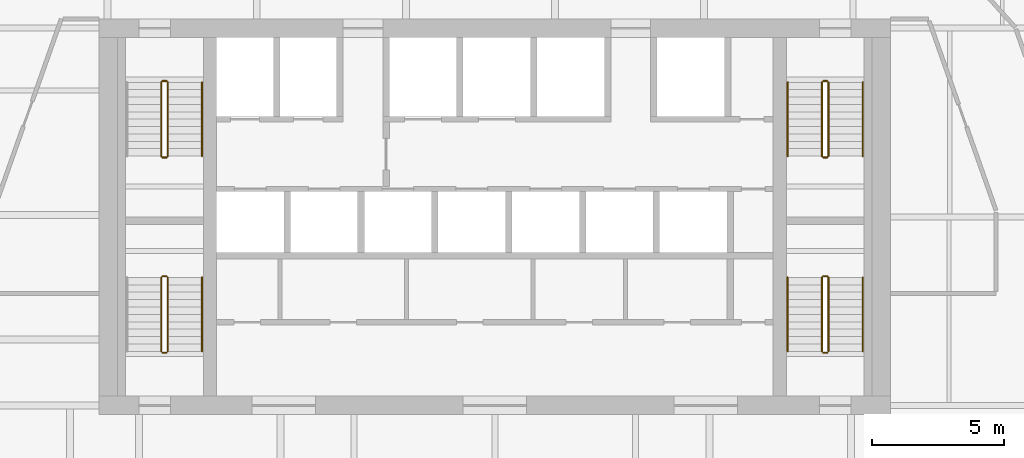
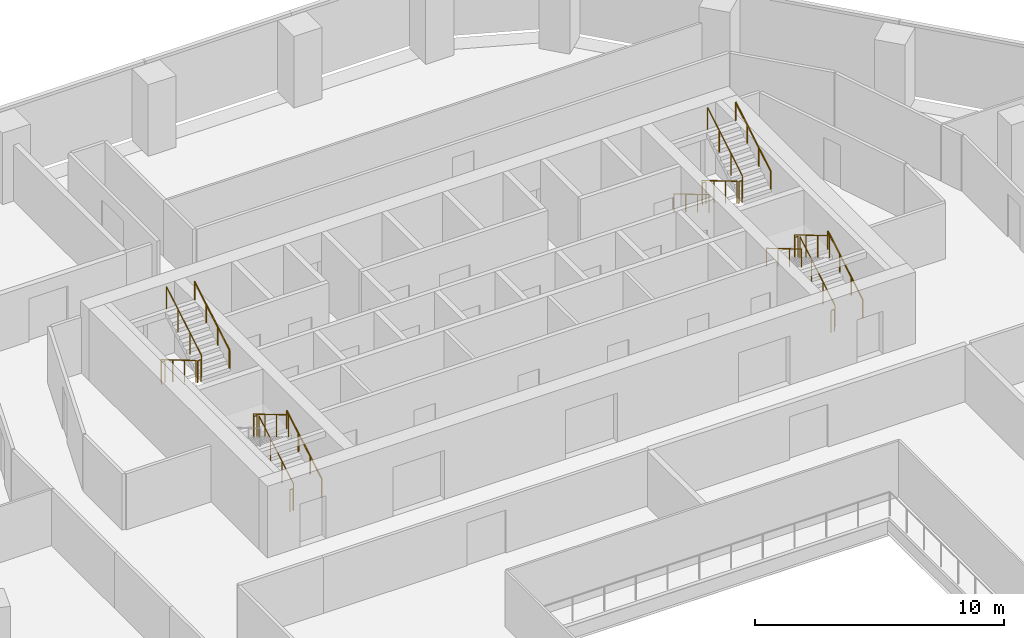
# One storey, part 16 of 17: 22 railings.
"""IFC4 building model written with IfcOpenShell, lengths in metres."""

from ifc_helpers import new_model, si_unit, direction, frame, origin, origin_2d, place, context, subcontext, project, spatial, circle, extrude, material, type_object, element, save


model = new_model("IFC4")

# Units and contexts
model_context = context("Model", 3, precision=1e-05, world=origin(), true_north=direction((0.0, 1.0)))
body_context = subcontext(model_context, "Body", "Model", "MODEL_VIEW")
ifc_project = project(units=[si_unit("LENGTHUNIT", "METRE"), si_unit("AREAUNIT", "SQUARE_METRE"), si_unit("VOLUMEUNIT", "CUBIC_METRE"), si_unit("PLANEANGLEUNIT", "RADIAN"), si_unit("MASSUNIT", "GRAM", prefix="KILO")], contexts=[model_context])

# Site, building, storey
site_placement = place(None, origin())
site = spatial("IfcSite", under=ifc_project, at=site_placement, CompositionType="ELEMENT")
building_placement = place(site_placement, origin())
building = spatial("IfcBuilding", under=site, at=building_placement, Name="Isthmus Gate Tower", CompositionType="ELEMENT")
storey_placement = place(building_placement, frame((0.0, 0.0, 181.75)))
storey = spatial("IfcBuildingStorey", under=building, at=storey_placement, Name="L45", CompositionType="ELEMENT", Elevation=181.75)

# Railings
ifc_material_1 = material(Name="Stainless steel balustrade", Category="steel")
railing_type_1 = type_object("IfcRailingType", Name="STAIR GUARD 1100", PredefinedType="GUARDRAIL", material=ifc_material_1)
railing_1_placement = place(storey_placement, frame((-12.64990234375, 12.60009765625, 0.166015625)))
element("IfcRailing", 1, at=railing_1_placement, inside=storey, type_object=railing_type_1, Name="L45 ST1 stair guard 1", PredefinedType="GUARDRAIL", context=body_context, shape_type="SweptSolid", body=[
    extrude(circle(Radius=0.02392578125, at=origin_2d()), frame((0.0, 0.0, 1.076171875), z_axis=(0.0, -0.860339051648, 0.50972219513), x_axis=(1.0, 0.0, 0.0)), (0.0, 0.0, 1.0), 3.254638671875),
    extrude(circle(Radius=0.02099609375, at=origin_2d()), origin(), (0.0, 0.0, 1.0), 1.052001953125),
    extrude(circle(Radius=0.02099609375, at=origin_2d()), frame((0.0, -0.933349609375, 0.552978515625)), (0.0, 0.0, 1.0), 1.052001953125),
    extrude(circle(Radius=0.02099609375, at=origin_2d()), frame((0.0, -1.86669921875, 1.10595703125)), (0.0, 0.0, 1.0), 1.052001953125),
    extrude(circle(Radius=0.02099609375, at=origin_2d()), frame((0.0, -2.800048828125, 1.658935546875)), (0.0, 0.0, 1.0), 1.052001953125),
])
railing_2_placement = place(storey_placement, frame((-12.60009765625, 9.75, 1.824951171875)))
element("IfcRailing", 2, at=railing_2_placement, inside=storey, type_object=railing_type_1, Name="L45 ST1 stair guard 2", PredefinedType="GUARDRAIL", context=body_context, shape_type="SweptSolid", body=[
    extrude(circle(Radius=0.02392578125, at=origin_2d()), frame((0.0, 0.0, 1.076171875), z_axis=(1.0, 0.0, 0.0), x_axis=(0.0, 1.0, 0.0)), (0.0, 0.0, 1.0), 0.150146484375),
    extrude(circle(Radius=0.02099609375, at=origin_2d()), origin(), (0.0, 0.0, 1.0), 1.052001953125),
    extrude(circle(Radius=0.02099609375, at=origin_2d()), frame((0.150146484375, 0.0, 0.0)), (0.0, 0.0, 1.0), 1.052001953125),
])
railing_3_placement = place(storey_placement, frame((-12.39990234375, 9.800048828125, 1.990966796875)))
element("IfcRailing", 3, at=railing_3_placement, inside=storey, type_object=railing_type_1, Name="L45 ST1 stair guard 3", PredefinedType="GUARDRAIL", context=body_context, shape_type="SweptSolid", body=[
    extrude(circle(Radius=0.02392578125, at=origin_2d()), frame((0.0, 0.0, 1.076171875), z_axis=(0.0, 0.860339051648, 0.50972219513), x_axis=(-1.0, 0.0, 0.0)), (0.0, 0.0, 1.0), 3.254638671875),
    extrude(circle(Radius=0.02099609375, at=origin_2d()), origin(), (0.0, 0.0, 1.0), 1.052001953125),
    extrude(circle(Radius=0.02099609375, at=origin_2d()), frame((0.0, 0.933349609375, 0.552978515625)), (0.0, 0.0, 1.0), 1.052001953125),
    extrude(circle(Radius=0.02099609375, at=origin_2d()), frame((0.0, 1.86669921875, 1.10595703125)), (0.0, 0.0, 1.0), 1.052001953125),
    extrude(circle(Radius=0.02099609375, at=origin_2d()), frame((0.0, 2.800048828125, 1.658935546875)), (0.0, 0.0, 1.0), 1.052001953125),
])
railing_4_placement = place(storey_placement, frame((-12.60009765625, 12.64990234375, 0.0)))
element("IfcRailing", 4, at=railing_4_placement, inside=storey, type_object=railing_type_1, Name="L45 ST1 stair guard 4", PredefinedType="GUARDRAIL", context=body_context, shape_type="SweptSolid", body=[
    extrude(circle(Radius=0.02392578125, at=origin_2d()), frame((0.0, 0.0, 1.076171875), z_axis=(1.0, 0.0, 0.0), x_axis=(0.0, 1.0, 0.0)), (0.0, 0.0, 1.0), 0.150146484375),
    extrude(circle(Radius=0.02099609375, at=origin_2d()), origin(), (0.0, 0.0, 1.0), 1.052001953125),
    extrude(circle(Radius=0.02099609375, at=origin_2d()), frame((0.150146484375, 0.0, 0.0)), (0.0, 0.0, 1.0), 1.052001953125),
])
railing_5_placement = place(storey_placement, frame((12.39990234375, 12.60009765625, 0.166015625)))
element("IfcRailing", 5, at=railing_5_placement, inside=storey, type_object=railing_type_1, Name="L45 ST2 stair guard 1", PredefinedType="GUARDRAIL", context=body_context, shape_type="SweptSolid", body=[
    extrude(circle(Radius=0.02392578125, at=origin_2d()), frame((0.0, 0.0, 1.076171875), z_axis=(0.0, -0.860339051648, 0.50972219513), x_axis=(1.0, 0.0, 0.0)), (0.0, 0.0, 1.0), 3.254638671875),
    extrude(circle(Radius=0.02099609375, at=origin_2d()), origin(), (0.0, 0.0, 1.0), 1.052001953125),
    extrude(circle(Radius=0.02099609375, at=origin_2d()), frame((0.0, -0.933349609375, 0.552978515625)), (0.0, 0.0, 1.0), 1.052001953125),
    extrude(circle(Radius=0.02099609375, at=origin_2d()), frame((0.0, -1.86669921875, 1.10595703125)), (0.0, 0.0, 1.0), 1.052001953125),
    extrude(circle(Radius=0.02099609375, at=origin_2d()), frame((0.0, -2.800048828125, 1.658935546875)), (0.0, 0.0, 1.0), 1.052001953125),
])
railing_6_placement = place(storey_placement, frame((12.449951171875, 9.75, 1.824951171875)))
element("IfcRailing", 6, at=railing_6_placement, inside=storey, type_object=railing_type_1, Name="L45 ST2 stair guard 2", PredefinedType="GUARDRAIL", context=body_context, shape_type="SweptSolid", body=[
    extrude(circle(Radius=0.02392578125, at=origin_2d()), frame((0.0, 0.0, 1.076171875), z_axis=(1.0, 0.0, 0.0), x_axis=(0.0, 1.0, 0.0)), (0.0, 0.0, 1.0), 0.150146484375),
    extrude(circle(Radius=0.02099609375, at=origin_2d()), origin(), (0.0, 0.0, 1.0), 1.052001953125),
    extrude(circle(Radius=0.02099609375, at=origin_2d()), frame((0.150146484375, 0.0, 0.0)), (0.0, 0.0, 1.0), 1.052001953125),
])
railing_7_placement = place(storey_placement, frame((12.64990234375, 9.800048828125, 1.990966796875)))
element("IfcRailing", 7, at=railing_7_placement, inside=storey, type_object=railing_type_1, Name="L45 ST2 stair guard 3", PredefinedType="GUARDRAIL", context=body_context, shape_type="SweptSolid", body=[
    extrude(circle(Radius=0.02392578125, at=origin_2d()), frame((0.0, 0.0, 1.076171875), z_axis=(0.0, 0.860339051648, 0.50972219513), x_axis=(-1.0, 0.0, 0.0)), (0.0, 0.0, 1.0), 3.254638671875),
    extrude(circle(Radius=0.02099609375, at=origin_2d()), origin(), (0.0, 0.0, 1.0), 1.052001953125),
    extrude(circle(Radius=0.02099609375, at=origin_2d()), frame((0.0, 0.933349609375, 0.552978515625)), (0.0, 0.0, 1.0), 1.052001953125),
    extrude(circle(Radius=0.02099609375, at=origin_2d()), frame((0.0, 1.86669921875, 1.10595703125)), (0.0, 0.0, 1.0), 1.052001953125),
    extrude(circle(Radius=0.02099609375, at=origin_2d()), frame((0.0, 2.800048828125, 1.658935546875)), (0.0, 0.0, 1.0), 1.052001953125),
])
railing_8_placement = place(storey_placement, frame((12.449951171875, 12.64990234375, 0.0)))
element("IfcRailing", 8, at=railing_8_placement, inside=storey, type_object=railing_type_1, Name="L45 ST2 stair guard 4", PredefinedType="GUARDRAIL", context=body_context, shape_type="SweptSolid", body=[
    extrude(circle(Radius=0.02392578125, at=origin_2d()), frame((0.0, 0.0, 1.076171875), z_axis=(1.0, 0.0, 0.0), x_axis=(0.0, 1.0, 0.0)), (0.0, 0.0, 1.0), 0.150146484375),
    extrude(circle(Radius=0.02099609375, at=origin_2d()), origin(), (0.0, 0.0, 1.0), 1.052001953125),
    extrude(circle(Radius=0.02099609375, at=origin_2d()), frame((0.150146484375, 0.0, 0.0)), (0.0, 0.0, 1.0), 1.052001953125),
])
railing_9_placement = place(storey_placement, frame((-12.39990234375, 2.39990234375, 0.166015625)))
element("IfcRailing", 9, at=railing_9_placement, inside=storey, type_object=railing_type_1, Name="L45 ST7 stair guard 1", PredefinedType="GUARDRAIL", context=body_context, shape_type="SweptSolid", body=[
    extrude(circle(Radius=0.02392578125, at=origin_2d()), frame((0.0, 0.0, 1.076171875), z_axis=(0.0, 0.860339051648, 0.50972219513), x_axis=(-1.0, 0.0, 0.0)), (0.0, 0.0, 1.0), 3.254638671875),
    extrude(circle(Radius=0.02099609375, at=origin_2d()), origin(), (0.0, 0.0, 1.0), 1.052001953125),
    extrude(circle(Radius=0.02099609375, at=origin_2d()), frame((0.0, 0.933349609375, 0.552978515625)), (0.0, 0.0, 1.0), 1.052001953125),
    extrude(circle(Radius=0.02099609375, at=origin_2d()), frame((0.0, 1.86669921875, 1.10595703125)), (0.0, 0.0, 1.0), 1.052001953125),
    extrude(circle(Radius=0.02099609375, at=origin_2d()), frame((0.0, 2.800048828125, 1.658935546875)), (0.0, 0.0, 1.0), 1.052001953125),
])
railing_10_placement = place(storey_placement, frame((-12.449951171875, 5.25, 1.824951171875)))
element("IfcRailing", 10, at=railing_10_placement, inside=storey, type_object=railing_type_1, Name="L45 ST7 stair guard 2", PredefinedType="GUARDRAIL", context=body_context, shape_type="SweptSolid", body=[
    extrude(circle(Radius=0.02392578125, at=origin_2d()), frame((0.0, 0.0, 1.076171875), z_axis=(-1.0, 0.0, 0.0), x_axis=(0.0, -1.0, 0.0)), (0.0, 0.0, 1.0), 0.150146484375),
    extrude(circle(Radius=0.02099609375, at=origin_2d()), origin(), (0.0, 0.0, 1.0), 1.052001953125),
    extrude(circle(Radius=0.02099609375, at=origin_2d()), frame((-0.150146484375, 0.0, 0.0)), (0.0, 0.0, 1.0), 1.052001953125),
])
railing_11_placement = place(storey_placement, frame((-12.64990234375, 5.199951171875, 1.990966796875)))
element("IfcRailing", 11, at=railing_11_placement, inside=storey, type_object=railing_type_1, Name="L45 ST7 stair guard 3", PredefinedType="GUARDRAIL", context=body_context, shape_type="SweptSolid", body=[
    extrude(circle(Radius=0.02392578125, at=origin_2d()), frame((0.0, 0.0, 1.076171875), z_axis=(0.0, -0.860339051648, 0.50972219513), x_axis=(1.0, 0.0, 0.0)), (0.0, 0.0, 1.0), 3.254638671875),
    extrude(circle(Radius=0.02099609375, at=origin_2d()), origin(), (0.0, 0.0, 1.0), 1.052001953125),
    extrude(circle(Radius=0.02099609375, at=origin_2d()), frame((0.0, -0.933349609375, 0.552978515625)), (0.0, 0.0, 1.0), 1.052001953125),
    extrude(circle(Radius=0.02099609375, at=origin_2d()), frame((0.0, -1.86669921875, 1.10595703125)), (0.0, 0.0, 1.0), 1.052001953125),
    extrude(circle(Radius=0.02099609375, at=origin_2d()), frame((0.0, -2.800048828125, 1.658935546875)), (0.0, 0.0, 1.0), 1.052001953125),
])
railing_12_placement = place(storey_placement, frame((-12.449951171875, 2.35009765625, 0.0)))
element("IfcRailing", 12, at=railing_12_placement, inside=storey, type_object=railing_type_1, Name="L45 ST7 stair guard 4", PredefinedType="GUARDRAIL", context=body_context, shape_type="SweptSolid", body=[
    extrude(circle(Radius=0.02392578125, at=origin_2d()), frame((0.0, 0.0, 1.076171875), z_axis=(-1.0, 0.0, 0.0), x_axis=(0.0, -1.0, 0.0)), (0.0, 0.0, 1.0), 0.150146484375),
    extrude(circle(Radius=0.02099609375, at=origin_2d()), origin(), (0.0, 0.0, 1.0), 1.052001953125),
    extrude(circle(Radius=0.02099609375, at=origin_2d()), frame((-0.150146484375, 0.0, 0.0)), (0.0, 0.0, 1.0), 1.052001953125),
])
railing_13_placement = place(storey_placement, frame((12.64990234375, 2.39990234375, 0.166015625)))
element("IfcRailing", 13, at=railing_13_placement, inside=storey, type_object=railing_type_1, Name="L45 ST8 stair guard 1", PredefinedType="GUARDRAIL", context=body_context, shape_type="SweptSolid", body=[
    extrude(circle(Radius=0.02392578125, at=origin_2d()), frame((0.0, 0.0, 1.076171875), z_axis=(0.0, 0.860339051648, 0.50972219513), x_axis=(-1.0, 0.0, 0.0)), (0.0, 0.0, 1.0), 3.254638671875),
    extrude(circle(Radius=0.02099609375, at=origin_2d()), origin(), (0.0, 0.0, 1.0), 1.052001953125),
    extrude(circle(Radius=0.02099609375, at=origin_2d()), frame((0.0, 0.933349609375, 0.552978515625)), (0.0, 0.0, 1.0), 1.052001953125),
    extrude(circle(Radius=0.02099609375, at=origin_2d()), frame((0.0, 1.86669921875, 1.10595703125)), (0.0, 0.0, 1.0), 1.052001953125),
    extrude(circle(Radius=0.02099609375, at=origin_2d()), frame((0.0, 2.800048828125, 1.658935546875)), (0.0, 0.0, 1.0), 1.052001953125),
])
railing_14_placement = place(storey_placement, frame((12.60009765625, 5.25, 1.824951171875)))
element("IfcRailing", 14, at=railing_14_placement, inside=storey, type_object=railing_type_1, Name="L45 ST8 stair guard 2", PredefinedType="GUARDRAIL", context=body_context, shape_type="SweptSolid", body=[
    extrude(circle(Radius=0.02392578125, at=origin_2d()), frame((0.0, 0.0, 1.076171875), z_axis=(-1.0, 0.0, 0.0), x_axis=(0.0, -1.0, 0.0)), (0.0, 0.0, 1.0), 0.150146484375),
    extrude(circle(Radius=0.02099609375, at=origin_2d()), origin(), (0.0, 0.0, 1.0), 1.052001953125),
    extrude(circle(Radius=0.02099609375, at=origin_2d()), frame((-0.150146484375, 0.0, 0.0)), (0.0, 0.0, 1.0), 1.052001953125),
])
railing_15_placement = place(storey_placement, frame((12.39990234375, 5.199951171875, 1.990966796875)))
element("IfcRailing", 15, at=railing_15_placement, inside=storey, type_object=railing_type_1, Name="L45 ST8 stair guard 3", PredefinedType="GUARDRAIL", context=body_context, shape_type="SweptSolid", body=[
    extrude(circle(Radius=0.02392578125, at=origin_2d()), frame((0.0, 0.0, 1.076171875), z_axis=(0.0, -0.860339051648, 0.50972219513), x_axis=(1.0, 0.0, 0.0)), (0.0, 0.0, 1.0), 3.254638671875),
    extrude(circle(Radius=0.02099609375, at=origin_2d()), origin(), (0.0, 0.0, 1.0), 1.052001953125),
    extrude(circle(Radius=0.02099609375, at=origin_2d()), frame((0.0, -0.933349609375, 0.552978515625)), (0.0, 0.0, 1.0), 1.052001953125),
    extrude(circle(Radius=0.02099609375, at=origin_2d()), frame((0.0, -1.86669921875, 1.10595703125)), (0.0, 0.0, 1.0), 1.052001953125),
    extrude(circle(Radius=0.02099609375, at=origin_2d()), frame((0.0, -2.800048828125, 1.658935546875)), (0.0, 0.0, 1.0), 1.052001953125),
])
railing_16_placement = place(storey_placement, frame((12.60009765625, 2.35009765625, 0.0)))
element("IfcRailing", 16, at=railing_16_placement, inside=storey, type_object=railing_type_1, Name="L45 ST8 stair guard 4", PredefinedType="GUARDRAIL", context=body_context, shape_type="SweptSolid", body=[
    extrude(circle(Radius=0.02392578125, at=origin_2d()), frame((0.0, 0.0, 1.076171875), z_axis=(-1.0, 0.0, 0.0), x_axis=(0.0, -1.0, 0.0)), (0.0, 0.0, 1.0), 0.150146484375),
    extrude(circle(Radius=0.02099609375, at=origin_2d()), origin(), (0.0, 0.0, 1.0), 1.052001953125),
    extrude(circle(Radius=0.02099609375, at=origin_2d()), frame((-0.150146484375, 0.0, 0.0)), (0.0, 0.0, 1.0), 1.052001953125),
])
ifc_material_2 = material(Name="Stainless steel handrail", Category="steel")
railing_type_2 = type_object("IfcRailingType", Name="STAIR HANDRAIL 900", PredefinedType="HANDRAIL", material=ifc_material_2)
railing_17_placement = place(storey_placement, frame((-11.10009765625, 9.800048828125, 1.990966796875)))
element("IfcRailing", 17, at=railing_17_placement, inside=storey, type_object=railing_type_2, Name="L45 ST1 stair handrail 2", PredefinedType="HANDRAIL", context=body_context, shape_type="SweptSolid", body=[
    extrude(circle(Radius=0.02392578125, at=origin_2d()), frame((0.0, 0.0, 0.8759765625), z_axis=(0.0, 0.860339051648, 0.50972219513), x_axis=(-1.0, 0.0, 0.0)), (0.0, 0.0, 1.0), 3.254638671875),
    extrude(circle(Radius=0.02099609375, at=origin_2d()), origin(), (0.0, 0.0, 1.0), 0.851806640625),
    extrude(circle(Radius=0.02099609375, at=origin_2d()), frame((0.0, 0.933349609375, 0.552978515625)), (0.0, 0.0, 1.0), 0.851806640625),
    extrude(circle(Radius=0.02099609375, at=origin_2d()), frame((0.0, 1.86669921875, 1.10595703125)), (0.0, 0.0, 1.0), 0.851806640625),
    extrude(circle(Radius=0.02099609375, at=origin_2d()), frame((0.0, 2.800048828125, 1.658935546875)), (0.0, 0.0, 1.0), 0.851806640625),
])
railing_18_placement = place(storey_placement, frame((11.10009765625, 12.60009765625, 0.166015625)))
element("IfcRailing", 18, at=railing_18_placement, inside=storey, type_object=railing_type_2, Name="L45 ST2 stair handrail 1", PredefinedType="HANDRAIL", context=body_context, shape_type="SweptSolid", body=[
    extrude(circle(Radius=0.02392578125, at=origin_2d()), frame((0.0, 0.0, 0.8759765625), z_axis=(0.0, -0.860339051648, 0.50972219513), x_axis=(1.0, 0.0, 0.0)), (0.0, 0.0, 1.0), 3.254638671875),
    extrude(circle(Radius=0.02099609375, at=origin_2d()), origin(), (0.0, 0.0, 1.0), 0.851806640625),
    extrude(circle(Radius=0.02099609375, at=origin_2d()), frame((0.0, -0.933349609375, 0.552978515625)), (0.0, 0.0, 1.0), 0.851806640625),
    extrude(circle(Radius=0.02099609375, at=origin_2d()), frame((0.0, -1.86669921875, 1.10595703125)), (0.0, 0.0, 1.0), 0.851806640625),
    extrude(circle(Radius=0.02099609375, at=origin_2d()), frame((0.0, -2.800048828125, 1.658935546875)), (0.0, 0.0, 1.0), 0.851806640625),
])
for number, where, name in (
    (19, (13.949951171875, 9.800048828125, 1.990966796875), "L45 ST2 stair handrail 2"),
    (20, (-11.10009765625, 2.39990234375, 0.166015625), "L45 ST7 stair handrail 1"),
    (21, (13.949951171875, 2.39990234375, 0.166015625), "L45 ST8 stair handrail 1"),
):
    element("IfcRailing", number, at=place(storey_placement, frame(where)), inside=storey, type_object=railing_type_2, Name=name, PredefinedType="HANDRAIL", context=body_context, shape_type="SweptSolid", body=[
        extrude(circle(Radius=0.02392578125, at=origin_2d()), frame((0.0, 0.0, 0.8759765625), z_axis=(0.0, 0.860339051648, 0.50972219513), x_axis=(-1.0, 0.0, 0.0)), (0.0, 0.0, 1.0), 3.254638671875),
        extrude(circle(Radius=0.02099609375, at=origin_2d()), origin(), (0.0, 0.0, 1.0), 0.851806640625),
        extrude(circle(Radius=0.02099609375, at=origin_2d()), frame((0.0, 0.933349609375, 0.552978515625)), (0.0, 0.0, 1.0), 0.851806640625),
        extrude(circle(Radius=0.02099609375, at=origin_2d()), frame((0.0, 1.86669921875, 1.10595703125)), (0.0, 0.0, 1.0), 0.851806640625),
        extrude(circle(Radius=0.02099609375, at=origin_2d()), frame((0.0, 2.800048828125, 1.658935546875)), (0.0, 0.0, 1.0), 0.851806640625),
    ])
railing_19_placement = place(storey_placement, frame((11.10009765625, 5.199951171875, 1.990966796875)))
element("IfcRailing", 22, at=railing_19_placement, inside=storey, type_object=railing_type_2, Name="L45 ST8 stair handrail 2", PredefinedType="HANDRAIL", context=body_context, shape_type="SweptSolid", body=[
    extrude(circle(Radius=0.02392578125, at=origin_2d()), frame((0.0, 0.0, 0.8759765625), z_axis=(0.0, -0.860339051648, 0.50972219513), x_axis=(1.0, 0.0, 0.0)), (0.0, 0.0, 1.0), 3.254638671875),
    extrude(circle(Radius=0.02099609375, at=origin_2d()), origin(), (0.0, 0.0, 1.0), 0.851806640625),
    extrude(circle(Radius=0.02099609375, at=origin_2d()), frame((0.0, -0.933349609375, 0.552978515625)), (0.0, 0.0, 1.0), 0.851806640625),
    extrude(circle(Radius=0.02099609375, at=origin_2d()), frame((0.0, -1.86669921875, 1.10595703125)), (0.0, 0.0, 1.0), 0.851806640625),
    extrude(circle(Radius=0.02099609375, at=origin_2d()), frame((0.0, -2.800048828125, 1.658935546875)), (0.0, 0.0, 1.0), 0.851806640625),
])

save(model, "model.ifc")
